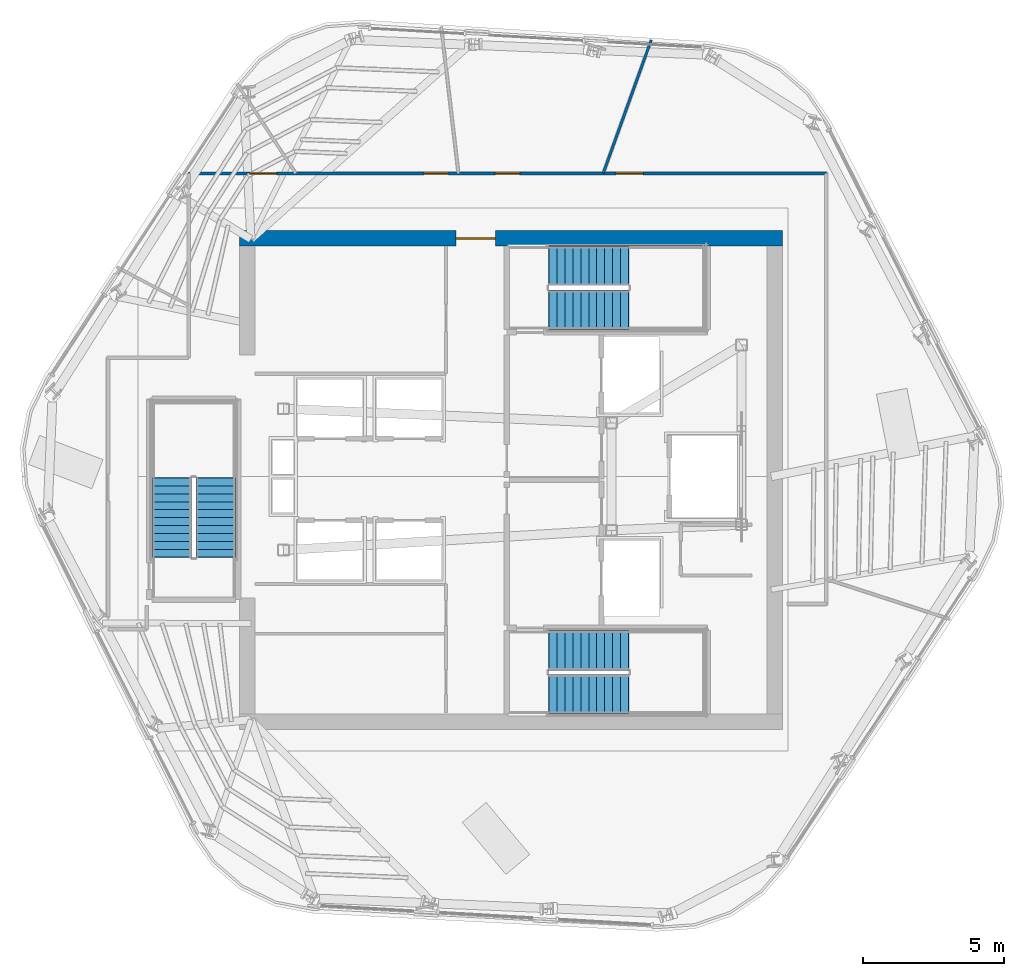
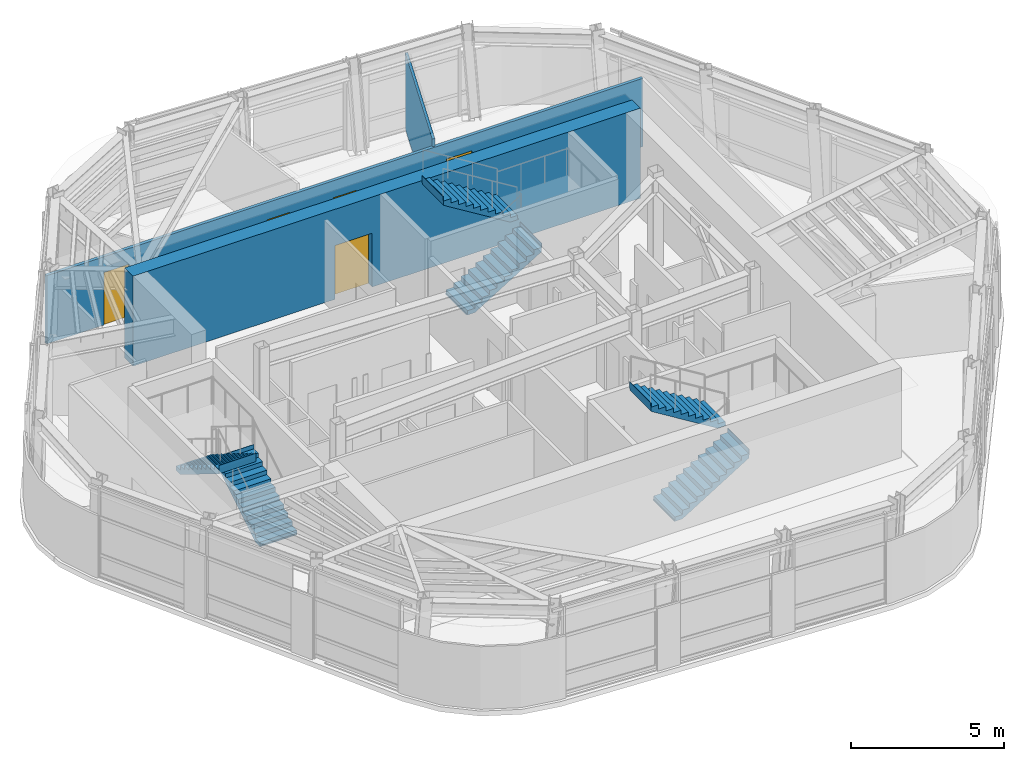
# One storey, part 8 of 13: 6 stair flights, 5 doors, 3 walls, 5 openings, 3 elements without a shape of their own.
"""IFC4 building model written with IfcOpenShell, lengths in metres."""

from ifc_helpers import new_model, si_unit, direction, frame, frame_2d, origin, place, context, subcontext, project, spatial, polyline, rectangle, outline, extrude, material, layer, layer_set, type_object, element, fill, aggregate, save


model = new_model("IFC4")

# Units and contexts
model_context = context("Model", 3, precision=1e-05, world=origin(), true_north=direction((0.0, 1.0)))
body_context = subcontext(model_context, "Body", "Model", "MODEL_VIEW")
ifc_project = project(units=[si_unit("LENGTHUNIT", "METRE"), si_unit("AREAUNIT", "SQUARE_METRE"), si_unit("VOLUMEUNIT", "CUBIC_METRE"), si_unit("PLANEANGLEUNIT", "RADIAN"), si_unit("MASSUNIT", "GRAM", prefix="KILO")], contexts=[model_context])

# Site, building, storey
site_placement = place(None, origin())
site = spatial("IfcSite", under=ifc_project, at=site_placement, CompositionType="ELEMENT")
building_placement = place(site_placement, origin())
building = spatial("IfcBuilding", under=site, at=building_placement, Name="Valkerne Bourse Tower", CompositionType="ELEMENT")
storey_placement = place(building_placement, frame((0.0, 0.0, 269.800048828125)))
storey = spatial("IfcBuildingStorey", under=building, at=storey_placement, Name="L68", CompositionType="ELEMENT", Elevation=269.800048828125)

# Wall, opening, door
ifc_material_1 = material(Name="Concrete C55/67", Category="concrete")
ifc_layer_1 = layer(ifc_material_1, 0.550048828125)
ifc_layer_set_1 = layer_set([ifc_layer_1], Name="Concrete C55/67")
wall_type_1 = type_object("IfcWallType", Name="W-CORE-550", PredefinedType="SHEAR", material=ifc_layer_set_1)
wall_1_placement = place(storey_placement, frame((37.199951171875, 35.425048828125, 0.0), z_axis=(0.0, 0.0, 1.0), x_axis=(1.0, 0.0, 0.0)))
wall_1 = element("IfcWall", 1, at=wall_1_placement, inside=storey, type_object=wall_type_1, Name="L68 Core Shear Wall NORTH", PredefinedType="SHEAR", context=body_context, shape_type="SweptSolid", body=[
    extrude(rectangle(XDim=19.199951171875, YDim=0.550048828125, at=frame_2d((9.60009765625, 0.0))), origin(), (0.0, 0.0, 1.0), 3.599853515625),
])
opening_1_placement = place(wall_1_placement, frame((7.64990234375, 0.0, 0.0)))
opening_1 = element("IfcOpeningElement", 2, at=opening_1_placement, cuts=wall_1, Name="Opening D-PL-1400", PredefinedType="OPENING", context=body_context, shape_type="SweptSolid", body=[
    extrude(rectangle(XDim=1.39990234375, YDim=2.14990234375, at=frame_2d((0.699951171875, 1.074951171875))), frame((0.0, 0.284912109375, 0.0), z_axis=(0.0, -1.0, 0.0), x_axis=(1.0, 0.0, 0.0)), (0.0, 0.0, 1.0), 0.570068359375),
])
ifc_material_2 = material(Name="Galvanised Painted Steel", Category="steel")
door_type_1 = type_object("IfcDoorType", Name="DR-PLT-1400", OperationType="DOUBLE_DOOR_SINGLE_SWING", PredefinedType="DOOR", material=ifc_material_2)
door_1_placement = place(opening_1_placement, origin())
door_1 = element("IfcDoor", 3, at=door_1_placement, inside=storey, type_object=door_type_1, Name="L68 North Passenger Lift Hall Fire Door", OperationType="DOUBLE_DOOR_SINGLE_SWING", OverallHeight=2.14990234375, OverallWidth=1.39990234375, PredefinedType="DOOR", context=body_context, shape_type="SweptSolid", body=[
    extrude(rectangle(XDim=1.39990234375, YDim=2.14990234375, at=frame_2d((0.699951171875, 1.074951171875))), frame((0.0, 0.02490234375, 0.0), z_axis=(0.0, -1.0, 0.0), x_axis=(1.0, 0.0, 0.0)), (0.0, 0.0, 1.0), 0.050048828125),
])
fill(opening_1, door_1)

# Wall, openings, doors
ifc_material_3 = material(Name="Gypsum Board Steel-Stud Partition", Category="steel")
ifc_layer_2 = layer(ifc_material_3, 0.117919921875)
ifc_layer_set_2 = layer_set([ifc_layer_2], Name="Gypsum Board Steel-Stud Partition")
wall_type_2 = type_object("IfcWallType", Name="W-CORR-140", PredefinedType="PARTITIONING", material=ifc_layer_set_2)
wall_2_placement = place(storey_placement, frame((35.39990234375, 37.719970703125, 0.0), z_axis=(0.0, 0.0, 1.0), x_axis=(1.0, 0.0, 0.0)))
wall_2 = element("IfcWall", 4, at=wall_2_placement, inside=storey, type_object=wall_type_2, Name="L68 Corridor Enclosure Wall", PredefinedType="PARTITIONING", context=body_context, shape_type="SweptSolid", body=[
    extrude(rectangle(XDim=22.550048828125, YDim=0.117919921875, at=frame_2d((11.27490234375, 0.0))), origin(), (0.0, 0.0, 1.0), 2.7314453125),
])
opening_2_placement = place(wall_2_placement, frame((10.844970703125, 0.0, 0.0)))
opening_2 = element("IfcOpeningElement", 5, at=opening_2_placement, cuts=wall_2, Name="Opening D-WC-900", PredefinedType="OPENING", context=body_context, shape_type="SweptSolid", body=[
    extrude(rectangle(XDim=0.860107421875, YDim=2.050048828125, at=frame_2d((0.43017578125, 1.02490234375))), frame((0.0, 0.06884765625, 0.0), z_axis=(0.0, -1.0, 0.0), x_axis=(1.0, 0.0, 0.0)), (0.0, 0.0, 1.0), 0.137939453125),
])
opening_3_placement = place(wall_2_placement, frame((8.324951171875, 0.0, 0.0)))
opening_3 = element("IfcOpeningElement", 6, at=opening_3_placement, cuts=wall_2, Name="Opening D-WC-900", PredefinedType="OPENING", context=body_context, shape_type="SweptSolid", body=[
    extrude(rectangle(XDim=0.860107421875, YDim=2.050048828125, at=frame_2d((0.43017578125, 1.02490234375))), frame((0.0, 0.06884765625, 0.0), z_axis=(0.0, -1.0, 0.0), x_axis=(1.0, 0.0, 0.0)), (0.0, 0.0, 1.0), 0.137939453125),
])
opening_4_placement = place(wall_2_placement, frame((2.159912109375, 0.0, 0.0)))
opening_4 = element("IfcOpeningElement", 7, at=opening_4_placement, cuts=wall_2, Name="Opening D-OF-950", PredefinedType="OPENING", context=body_context, shape_type="SweptSolid", body=[
    extrude(rectangle(XDim=0.949951171875, YDim=2.10009765625, at=frame_2d((0.47509765625, 1.050048828125))), frame((0.0, 0.06884765625, 0.0), z_axis=(0.0, -1.0, 0.0), x_axis=(1.0, 0.0, 0.0)), (0.0, 0.0, 1.0), 0.137939453125),
])
opening_5_placement = place(wall_2_placement, frame((15.1201171875, 0.0, 0.0)))
opening_5 = element("IfcOpeningElement", 8, at=opening_5_placement, cuts=wall_2, Name="Opening D-OF-950", PredefinedType="OPENING", context=body_context, shape_type="SweptSolid", body=[
    extrude(rectangle(XDim=0.949951171875, YDim=2.10009765625, at=frame_2d((0.47509765625, 1.050048828125))), frame((0.0, 0.06884765625, 0.0), z_axis=(0.0, -1.0, 0.0), x_axis=(1.0, 0.0, 0.0)), (0.0, 0.0, 1.0), 0.137939453125),
])
ifc_material_4 = material(Name="Architectural White Oak Timber", Category="wood")
door_type_2 = type_object("IfcDoorType", Name="DR-OFF-950", OperationType="NOTDEFINED", PredefinedType="DOOR", material=ifc_material_4)
door_2_placement = place(opening_4_placement, origin())
door_2 = element("IfcDoor", 9, at=door_2_placement, inside=storey, type_object=door_type_2, Name="L68 L68 Executive Advisory Suite Office 3 Door", OperationType="SINGLE_SWING_LEFT", OverallHeight=2.10009765625, OverallWidth=0.949951171875, PredefinedType="DOOR", context=body_context, shape_type="SweptSolid", body=[
    extrude(rectangle(XDim=0.949951171875, YDim=2.10009765625, at=frame_2d((0.47509765625, 1.050048828125))), frame((0.0, 0.02490234375, 0.0), z_axis=(0.0, -1.0, 0.0), x_axis=(1.0, 0.0, 0.0)), (0.0, 0.0, 1.0), 0.050048828125),
])
fill(opening_4, door_2)
door_3_placement = place(opening_5_placement, origin())
door_3 = element("IfcDoor", 10, at=door_3_placement, inside=storey, type_object=door_type_2, Name="L68 L68 Executive Advisory Suite Office 4 Door", OperationType="SINGLE_SWING_LEFT", OverallHeight=2.10009765625, OverallWidth=0.949951171875, PredefinedType="DOOR", context=body_context, shape_type="SweptSolid", body=[
    extrude(rectangle(XDim=0.949951171875, YDim=2.10009765625, at=frame_2d((0.47509765625, 1.050048828125))), frame((0.0, 0.02490234375, 0.0), z_axis=(0.0, -1.0, 0.0), x_axis=(1.0, 0.0, 0.0)), (0.0, 0.0, 1.0), 0.050048828125),
])
fill(opening_5, door_3)
door_type_3 = type_object("IfcDoorType", Name="DR-WC-900", OperationType="NOTDEFINED", PredefinedType="DOOR", material=ifc_material_4)
door_4_placement = place(opening_2_placement, origin())
door_4 = element("IfcDoor", 11, at=door_4_placement, inside=storey, type_object=door_type_3, Name="L68 L68 Men Bathroom WC 1 Door", OperationType="SINGLE_SWING_LEFT", OverallHeight=2.050048828125, OverallWidth=0.860107421875, PredefinedType="DOOR", context=body_context, shape_type="SweptSolid", body=[
    extrude(rectangle(XDim=0.860107421875, YDim=2.050048828125, at=frame_2d((0.43017578125, 1.02490234375))), frame((0.0, 0.02490234375, 0.0), z_axis=(0.0, -1.0, 0.0), x_axis=(1.0, 0.0, 0.0)), (0.0, 0.0, 1.0), 0.050048828125),
])
fill(opening_2, door_4)
door_5_placement = place(opening_3_placement, origin())
door_5 = element("IfcDoor", 12, at=door_5_placement, inside=storey, type_object=door_type_3, Name="L68 L68 Women Restroom & Shower WC 2 Door", OperationType="SINGLE_SWING_LEFT", OverallHeight=2.050048828125, OverallWidth=0.860107421875, PredefinedType="DOOR", context=body_context, shape_type="SweptSolid", body=[
    extrude(rectangle(XDim=0.860107421875, YDim=2.050048828125, at=frame_2d((0.43017578125, 1.02490234375))), frame((0.0, 0.02490234375, 0.0), z_axis=(0.0, -1.0, 0.0), x_axis=(1.0, 0.0, 0.0)), (0.0, 0.0, 1.0), 0.050048828125),
])
fill(opening_3, door_5)

# Wall
ifc_layer_3 = layer(ifc_material_3, 0.092041015625)
ifc_layer_set_3 = layer_set([ifc_layer_3], Name="Gypsum Board Steel-Stud Partition")
wall_type_3 = type_object("IfcWallType", Name="W-PART-115", PredefinedType="PARTITIONING", material=ifc_layer_set_3)
wall_3_placement = place(storey_placement, frame((50.061279296875, 37.72509765625, 0.0), z_axis=(0.0, 0.0, 1.0), x_axis=(0.3387539578, 0.940874994925, 0.0)))
element("IfcWall", 13, at=wall_3_placement, inside=storey, type_object=wall_type_3, Name="L68 Suite Partition P01", PredefinedType="PARTITIONING", context=body_context, shape_type="SweptSolid", body=[
    extrude(rectangle(XDim=5.01318359375, YDim=0.092041015625, at=frame_2d((2.506591796875, 0.0))), origin(), (0.0, 0.0, 1.0), 3.0361328125),
])

# Stair, stair flights
ifc_material_5 = material(Name="Concrete C40/50", Category="concrete")
stair_type = type_object("IfcStairType", Name="ST-CORE-1400", PredefinedType="HALF_TURN_STAIR", material=ifc_material_5)
stair_1_placement = place(storey_placement, origin())
stair_1 = element("IfcStair", 14, at=stair_1_placement, inside=storey, type_object=stair_type, Name="L68 ST-1", PredefinedType="HALF_TURN_STAIR")
stair_flight_type = type_object("IfcStairFlightType", Name="STF-CORE-1400", PredefinedType="STRAIGHT", material=ifc_material_5)
stair_flight_1_placement = place(storey_placement, frame((48.14990234375, 19.300048828125, 0.0), z_axis=(0.0, 0.0, 1.0), x_axis=(1.0, 0.0, 0.0)))
stair_flight_1 = element("IfcStairFlight", 15, at=stair_flight_1_placement, type_object=stair_flight_type, Name="ST-1 flight 1", NumberOfRisers=11, NumberOfTreads=10, PredefinedType="STRAIGHT", RiserHeight=0.172727273, TreadLength=0.28, context=body_context, shape_type="SweptSolid", body=[
    extrude(outline(polyline([(-0.02001953125, 0.0), (-0.02001953125, 0.044921875), (0.0, 0.044921875), (0.0, 0.172607421875), (0.280029296875, 0.172607421875), (0.280029296875, 0.345458984375), (0.56005859375, 0.345458984375), (0.56005859375, 0.51806640625), (0.840087890625, 0.51806640625), (0.840087890625, 0.69091796875), (1.1201171875, 0.69091796875), (1.1201171875, 0.863525390625), (1.39990234375, 0.863525390625), (1.39990234375, 1.036376953125), (1.679931640625, 1.036376953125), (1.679931640625, 1.208984375), (1.9599609375, 1.208984375), (1.9599609375, 1.3818359375), (2.239990234375, 1.3818359375), (2.239990234375, 1.554443359375), (2.52001953125, 1.554443359375), (2.52001953125, 1.727294921875), (2.800048828125, 1.727294921875), (2.800048828125, 1.89990234375), (2.820068359375, 1.89990234375), (2.820068359375, 1.780029296875), (2.800048828125, 1.551025390625), (0.285400390625, 0.0), (-0.02001953125, 0.0)])), frame((0.0, 0.699951171875, 0.0), z_axis=(0.0, -1.0, 0.0), x_axis=(1.0, 0.0, 0.0)), (0.0, 0.0, 1.0), 1.39990234375),
])
stair_flight_2_placement = place(storey_placement, frame((50.949951171875, 20.85009765625, 1.89990234375), z_axis=(0.0, 0.0, 1.0), x_axis=(-1.0, 0.0, 0.0)))
stair_flight_2 = element("IfcStairFlight", 16, at=stair_flight_2_placement, type_object=stair_flight_type, Name="ST-1 flight 2", NumberOfRisers=11, NumberOfTreads=10, PredefinedType="STRAIGHT", RiserHeight=0.172727273, TreadLength=0.28, context=body_context, shape_type="SweptSolid", body=[
    extrude(outline(polyline([(-0.02001953125, 0.0), (-0.02001953125, 0.044921875), (0.0, 0.044921875), (0.0, 0.172607421875), (0.280029296875, 0.172607421875), (0.280029296875, 0.345458984375), (0.56005859375, 0.345458984375), (0.56005859375, 0.51806640625), (0.840087890625, 0.51806640625), (0.840087890625, 0.69091796875), (1.1201171875, 0.69091796875), (1.1201171875, 0.863525390625), (1.39990234375, 0.863525390625), (1.39990234375, 1.036376953125), (1.679931640625, 1.036376953125), (1.679931640625, 1.208984375), (1.9599609375, 1.208984375), (1.9599609375, 1.3818359375), (2.239990234375, 1.3818359375), (2.239990234375, 1.554443359375), (2.52001953125, 1.554443359375), (2.52001953125, 1.727294921875), (2.800048828125, 1.727294921875), (2.800048828125, 1.89990234375), (2.820068359375, 1.89990234375), (2.820068359375, 1.780029296875), (2.800048828125, 1.551025390625), (0.285400390625, 0.0), (-0.02001953125, 0.0)])), frame((0.0, 0.699951171875, 0.0), z_axis=(0.0, -1.0, 0.0), x_axis=(1.0, 0.0, 0.0)), (0.0, 0.0, 1.0), 1.39990234375),
])
aggregate(stair_1, [stair_flight_1, stair_flight_2])

stair_2_placement = place(storey_placement, origin())
stair_2 = element("IfcStair", 17, at=stair_2_placement, inside=storey, type_object=stair_type, Name="L68 ST-2", PredefinedType="HALF_TURN_STAIR")
stair_flight_3_placement = place(storey_placement, frame((48.14990234375, 32.89990234375, 0.0), z_axis=(0.0, 0.0, 1.0), x_axis=(1.0, 0.0, 0.0)))
stair_flight_3 = element("IfcStairFlight", 18, at=stair_flight_3_placement, type_object=stair_flight_type, Name="ST-2 flight 1", NumberOfRisers=11, NumberOfTreads=10, PredefinedType="STRAIGHT", RiserHeight=0.172727273, TreadLength=0.28, context=body_context, shape_type="SweptSolid", body=[
    extrude(outline(polyline([(-0.02001953125, 0.0), (-0.02001953125, 0.044921875), (0.0, 0.044921875), (0.0, 0.172607421875), (0.280029296875, 0.172607421875), (0.280029296875, 0.345458984375), (0.56005859375, 0.345458984375), (0.56005859375, 0.51806640625), (0.840087890625, 0.51806640625), (0.840087890625, 0.69091796875), (1.1201171875, 0.69091796875), (1.1201171875, 0.863525390625), (1.39990234375, 0.863525390625), (1.39990234375, 1.036376953125), (1.679931640625, 1.036376953125), (1.679931640625, 1.208984375), (1.9599609375, 1.208984375), (1.9599609375, 1.3818359375), (2.239990234375, 1.3818359375), (2.239990234375, 1.554443359375), (2.52001953125, 1.554443359375), (2.52001953125, 1.727294921875), (2.800048828125, 1.727294921875), (2.800048828125, 1.89990234375), (2.820068359375, 1.89990234375), (2.820068359375, 1.780029296875), (2.800048828125, 1.551025390625), (0.285400390625, 0.0), (-0.02001953125, 0.0)])), frame((0.0, 0.699951171875, 0.0), z_axis=(0.0, -1.0, 0.0), x_axis=(1.0, 0.0, 0.0)), (0.0, 0.0, 1.0), 1.39990234375),
])
stair_flight_4_placement = place(storey_placement, frame((50.949951171875, 34.449951171875, 1.89990234375), z_axis=(0.0, 0.0, 1.0), x_axis=(-1.0, 0.0, 0.0)))
stair_flight_4 = element("IfcStairFlight", 19, at=stair_flight_4_placement, type_object=stair_flight_type, Name="ST-2 flight 2", NumberOfRisers=11, NumberOfTreads=10, PredefinedType="STRAIGHT", RiserHeight=0.172727273, TreadLength=0.28, context=body_context, shape_type="SweptSolid", body=[
    extrude(outline(polyline([(-0.02001953125, 0.0), (-0.02001953125, 0.044921875), (0.0, 0.044921875), (0.0, 0.172607421875), (0.280029296875, 0.172607421875), (0.280029296875, 0.345458984375), (0.56005859375, 0.345458984375), (0.56005859375, 0.51806640625), (0.840087890625, 0.51806640625), (0.840087890625, 0.69091796875), (1.1201171875, 0.69091796875), (1.1201171875, 0.863525390625), (1.39990234375, 0.863525390625), (1.39990234375, 1.036376953125), (1.679931640625, 1.036376953125), (1.679931640625, 1.208984375), (1.9599609375, 1.208984375), (1.9599609375, 1.3818359375), (2.239990234375, 1.3818359375), (2.239990234375, 1.554443359375), (2.52001953125, 1.554443359375), (2.52001953125, 1.727294921875), (2.800048828125, 1.727294921875), (2.800048828125, 1.89990234375), (2.820068359375, 1.89990234375), (2.820068359375, 1.780029296875), (2.800048828125, 1.551025390625), (0.285400390625, 0.0), (-0.02001953125, 0.0)])), frame((0.0, 0.699951171875, 0.0), z_axis=(0.0, -1.0, 0.0), x_axis=(1.0, 0.0, 0.0)), (0.0, 0.0, 1.0), 1.39990234375),
])
aggregate(stair_2, [stair_flight_3, stair_flight_4])

stair_3_placement = place(storey_placement, origin())
stair_3 = element("IfcStair", 20, at=stair_3_placement, inside=storey, type_object=stair_type, Name="L68 ST-3", PredefinedType="HALF_TURN_STAIR")
stair_flight_5_placement = place(storey_placement, frame((36.35009765625, 24.14990234375, 0.0), z_axis=(0.0, 0.0, 1.0), x_axis=(0.0, 1.0, 0.0)))
stair_flight_5 = element("IfcStairFlight", 21, at=stair_flight_5_placement, type_object=stair_flight_type, Name="ST-3 flight 1", NumberOfRisers=11, NumberOfTreads=10, PredefinedType="STRAIGHT", RiserHeight=0.172727273, TreadLength=0.28, context=body_context, shape_type="SweptSolid", body=[
    extrude(outline(polyline([(-0.02001953125, 0.0), (-0.02001953125, 0.044921875), (0.0, 0.044921875), (0.0, 0.172607421875), (0.280029296875, 0.172607421875), (0.280029296875, 0.345458984375), (0.56005859375, 0.345458984375), (0.56005859375, 0.51806640625), (0.840087890625, 0.51806640625), (0.840087890625, 0.69091796875), (1.1201171875, 0.69091796875), (1.1201171875, 0.863525390625), (1.39990234375, 0.863525390625), (1.39990234375, 1.036376953125), (1.679931640625, 1.036376953125), (1.679931640625, 1.208984375), (1.9599609375, 1.208984375), (1.9599609375, 1.3818359375), (2.239990234375, 1.3818359375), (2.239990234375, 1.554443359375), (2.52001953125, 1.554443359375), (2.52001953125, 1.727294921875), (2.800048828125, 1.727294921875), (2.800048828125, 1.89990234375), (2.820068359375, 1.89990234375), (2.820068359375, 1.780029296875), (2.800048828125, 1.551025390625), (0.285400390625, 0.0), (-0.02001953125, 0.0)])), frame((0.0, 0.699951171875, 0.0), z_axis=(0.0, -1.0, 0.0), x_axis=(1.0, 0.0, 0.0)), (0.0, 0.0, 1.0), 1.39990234375),
])
stair_flight_6_placement = place(storey_placement, frame((34.800048828125, 26.949951171875, 1.89990234375), z_axis=(0.0, 0.0, 1.0), x_axis=(0.0, -1.0, 0.0)))
stair_flight_6 = element("IfcStairFlight", 22, at=stair_flight_6_placement, type_object=stair_flight_type, Name="ST-3 flight 2", NumberOfRisers=11, NumberOfTreads=10, PredefinedType="STRAIGHT", RiserHeight=0.172727273, TreadLength=0.28, context=body_context, shape_type="SweptSolid", body=[
    extrude(outline(polyline([(-0.02001953125, 0.0), (-0.02001953125, 0.044921875), (0.0, 0.044921875), (0.0, 0.172607421875), (0.280029296875, 0.172607421875), (0.280029296875, 0.345458984375), (0.56005859375, 0.345458984375), (0.56005859375, 0.51806640625), (0.840087890625, 0.51806640625), (0.840087890625, 0.69091796875), (1.1201171875, 0.69091796875), (1.1201171875, 0.863525390625), (1.39990234375, 0.863525390625), (1.39990234375, 1.036376953125), (1.679931640625, 1.036376953125), (1.679931640625, 1.208984375), (1.9599609375, 1.208984375), (1.9599609375, 1.3818359375), (2.239990234375, 1.3818359375), (2.239990234375, 1.554443359375), (2.52001953125, 1.554443359375), (2.52001953125, 1.727294921875), (2.800048828125, 1.727294921875), (2.800048828125, 1.89990234375), (2.820068359375, 1.89990234375), (2.820068359375, 1.780029296875), (2.800048828125, 1.551025390625), (0.285400390625, 0.0), (-0.02001953125, 0.0)])), frame((0.0, 0.699951171875, 0.0), z_axis=(0.0, -1.0, 0.0), x_axis=(1.0, 0.0, 0.0)), (0.0, 0.0, 1.0), 1.39990234375),
])
aggregate(stair_3, [stair_flight_5, stair_flight_6])

save(model, "model.ifc")
